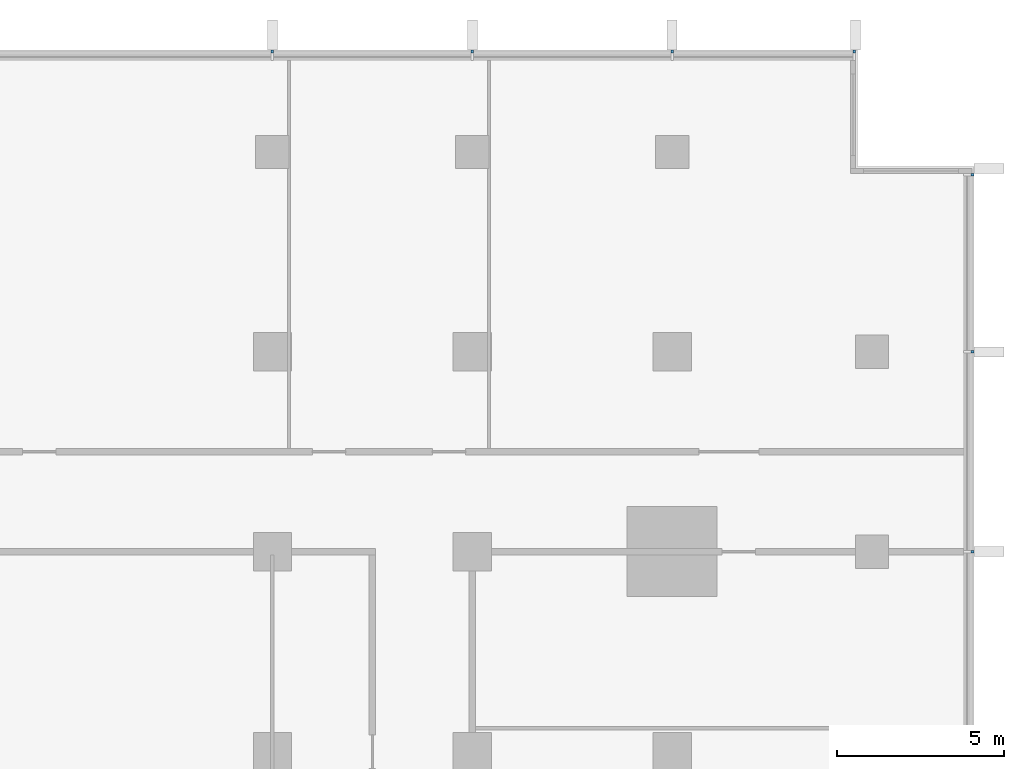
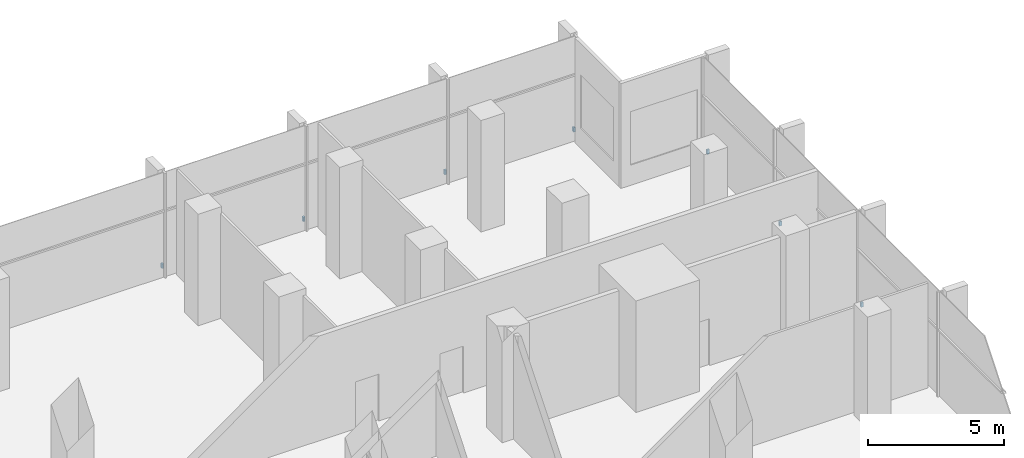
# One storey, part 13 of 14: 7 discrete accessories.
"""IFC4 building model written with IfcOpenShell, lengths in metres."""

from ifc_helpers import new_model, si_unit, direction, frame, origin, origin_2d, place, context, subcontext, project, spatial, rectangle, extrude, material, type_object, element, save


model = new_model("IFC4")

# Units and contexts
model_context = context("Model", 3, precision=1e-05, world=origin(), true_north=direction((0.0, 1.0)))
body_context = subcontext(model_context, "Body", "Model", "MODEL_VIEW")
ifc_project = project(units=[si_unit("LENGTHUNIT", "METRE"), si_unit("AREAUNIT", "SQUARE_METRE"), si_unit("VOLUMEUNIT", "CUBIC_METRE"), si_unit("PLANEANGLEUNIT", "RADIAN"), si_unit("MASSUNIT", "GRAM", prefix="KILO")], contexts=[model_context])

# Site, building, storey
site_placement = place(None, origin())
site = spatial("IfcSite", under=ifc_project, at=site_placement, CompositionType="ELEMENT")
building_placement = place(site_placement, origin())
building = spatial("IfcBuilding", under=site, at=building_placement, Name="Finial Court Residences", CompositionType="ELEMENT")
storey_placement = place(building_placement, frame((0.0, 0.0, 133.89990234375)))
storey = spatial("IfcBuildingStorey", under=building, at=storey_placement, Name="L33", CompositionType="ELEMENT", Elevation=133.89990234375)

# Discrete accessories
ifc_material = material(Name="Stainless steel 316", Category="steel")
discrete_accessory_type = type_object("IfcDiscreteAccessoryType", Name="Fin bracket, stainless steel 75 x 98 x 200", PredefinedType="BRACKET", material=ifc_material)
for number, where, z_axis, x_axis, name in (
    (1, (4.5, 22.51123046875, 0.30029296875), (0.0, 0.0, 1.0), (1.0, 0.0, 0.0), "E-L33-FIN-N5-BRK"),
    (2, (10.5, 22.51123046875, 0.30029296875), (0.0, 0.0, 1.0), (1.0, 0.0, 0.0), "E-L33-FIN-N6-BRK"),
    (3, (16.5, 22.51123046875, 0.30029296875), (0.0, 0.0, 1.0), (1.0, 0.0, 0.0), "E-L33-FIN-N7-BRK"),
    (4, (21.96240234375, 22.51123046875, 0.30029296875), (0.0, 0.0, 1.0), (1.0, 0.0, 0.0), "E-L33-FIN-N8-BRK"),
):
    element("IfcDiscreteAccessory", number, at=place(storey_placement, frame(where, z_axis=z_axis, x_axis=x_axis)), inside=storey, type_object=discrete_accessory_type, Name=name, PredefinedType="BRACKET", context=body_context, shape_type="SweptSolid", body=[
        extrude(rectangle(XDim=0.074951171875, YDim=0.097412109375, at=origin_2d()), origin(), (0.0, 0.0, 1.0), 0.199951171875),
    ])
for number, where, z_axis, x_axis, name in (
    (5, (25.51123046875, 7.5, 0.30029296875), (0.0, 0.0, 1.0), (1.0, 0.0, 0.0), "E-L33-FIN-E13-BRK"),
    (6, (25.51123046875, 13.5, 0.30029296875), (0.0, 0.0, 1.0), (1.0, 0.0, 0.0), "E-L33-FIN-E14-BRK"),
    (7, (25.51123046875, 18.8125, 0.30029296875), (0.0, 0.0, 1.0), (1.0, 0.0, 0.0), "E-L33-FIN-E15-BRK"),
):
    element("IfcDiscreteAccessory", number, at=place(storey_placement, frame(where, z_axis=z_axis, x_axis=x_axis)), inside=storey, type_object=discrete_accessory_type, Name=name, PredefinedType="BRACKET", context=body_context, shape_type="SweptSolid", body=[
        extrude(rectangle(XDim=0.097412109375, YDim=0.074951171875, at=origin_2d()), origin(), (0.0, 0.0, 1.0), 0.199951171875),
    ])

save(model, "model.ifc")
